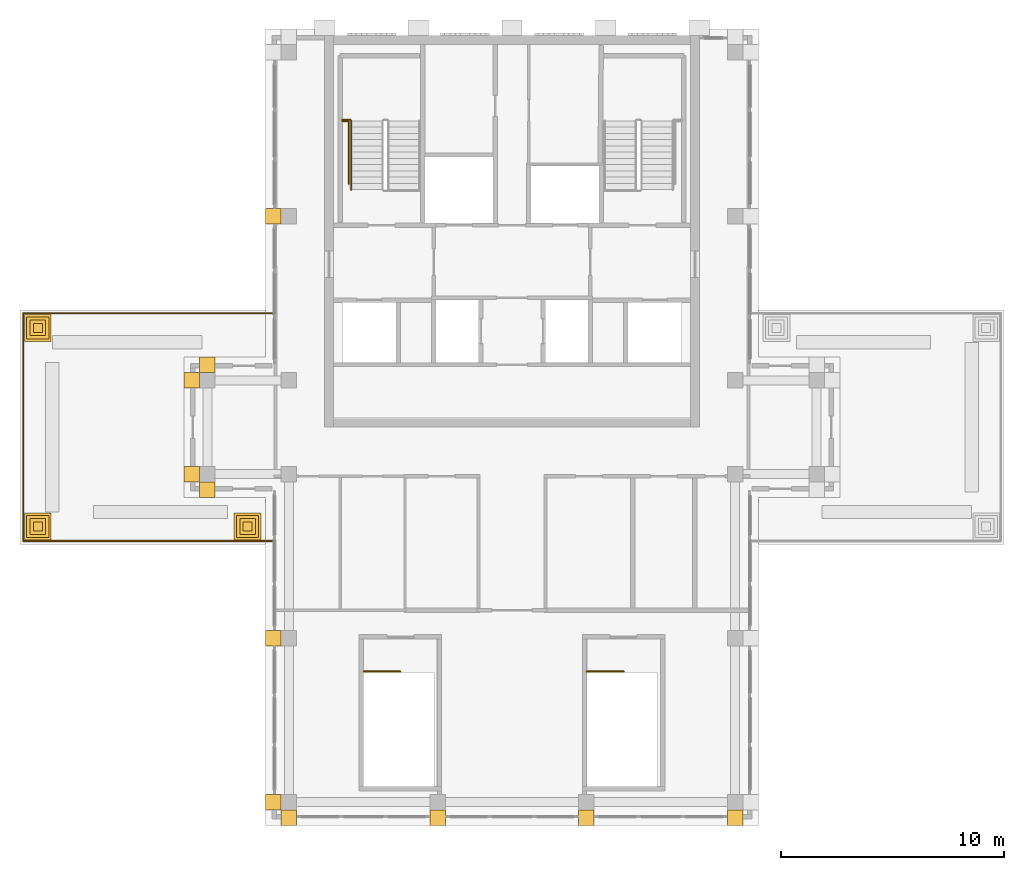
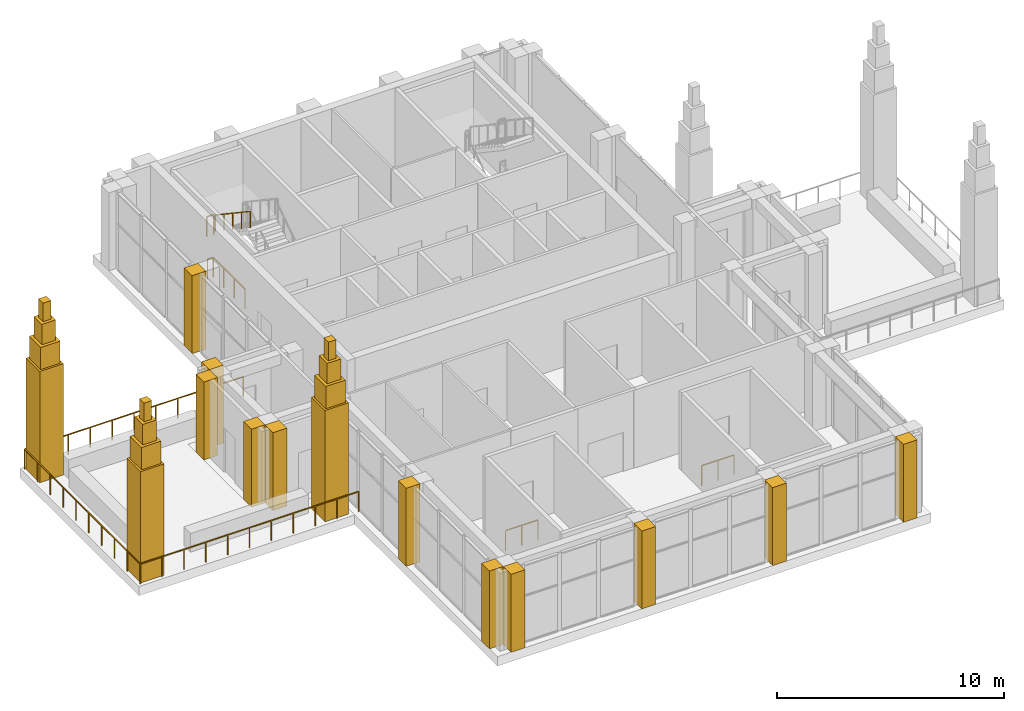
# One storey, part 10 of 12: 23 coverings, 8 railings.
"""IFC4 building model written with IfcOpenShell, lengths in metres."""

from ifc_helpers import new_model, si_unit, direction, frame, origin, origin_2d, place, context, subcontext, project, spatial, polyline, rectangle, outline, extrude, material, type_object, element, save


model = new_model("IFC4")

# Units and contexts
model_context = context("Model", 3, precision=1e-05, world=origin(), true_north=direction((0.0, 1.0)))
body_context = subcontext(model_context, "Body", "Model", "MODEL_VIEW")
ifc_project = project(units=[si_unit("LENGTHUNIT", "METRE"), si_unit("AREAUNIT", "SQUARE_METRE"), si_unit("VOLUMEUNIT", "CUBIC_METRE"), si_unit("PLANEANGLEUNIT", "RADIAN"), si_unit("MASSUNIT", "GRAM", prefix="KILO")], contexts=[model_context])

# Site, building, storey
site_placement = place(None, origin())
site = spatial("IfcSite", under=ifc_project, at=site_placement, CompositionType="ELEMENT")
building_placement = place(site_placement, origin())
building = spatial("IfcBuilding", under=site, at=building_placement, Name="Vermilion Ogive Tower", CompositionType="ELEMENT")
storey_placement = place(building_placement, frame((0.0, 0.0, 298.35009765625)))
storey = spatial("IfcBuildingStorey", under=building, at=storey_placement, Name="L77", CompositionType="ELEMENT", Elevation=298.35009765625)

# Railings
ifc_material_1 = material(Name="Steel S355 painted", Category="steel")
railing_type_1 = type_object("IfcRailingType", Name="Stair guard 1100", PredefinedType="GUARDRAIL", material=ifc_material_1)
for number, where, name in (
    (1, (3.35009765625, -6.75, 0.0), "L77 ST6 top well guard 1"),
    (2, (-6.64990234375, -6.75, 0.0), "L77 ST7 top well guard 1"),
):
    element("IfcRailing", number, at=place(storey_placement, frame(where)), inside=storey, type_object=railing_type_1, Name=name, PredefinedType="GUARDRAIL", context=body_context, shape_type="SweptSolid", body=[
        extrude(rectangle(XDim=0.048095703125, YDim=0.048095703125, at=origin_2d()), frame((0.0, 0.0, 1.076171875), z_axis=(1.0, 0.0, 0.0), x_axis=(0.0, 1.0, 0.0)), (0.0, 0.0, 1.0), 1.64990234375),
        extrude(rectangle(XDim=0.0419921875, YDim=0.0419921875, at=origin_2d()), origin(), (0.0, 0.0, 1.0), 1.052001953125),
        extrude(rectangle(XDim=0.0419921875, YDim=0.0419921875, at=origin_2d()), frame((0.824951171875, 0.0, 0.0)), (0.0, 0.0, 1.0), 1.052001953125),
        extrude(rectangle(XDim=0.0419921875, YDim=0.0419921875, at=origin_2d()), frame((1.64990234375, 0.0, 0.0)), (0.0, 0.0, 1.0), 1.052001953125),
    ])
railing_1_placement = place(storey_placement, frame((-7.60009765625, 17.97998046875, 2.25)))
element("IfcRailing", 3, at=railing_1_placement, inside=storey, type_object=railing_type_1, Name="L77 landing guard", PredefinedType="GUARDRAIL", context=body_context, shape_type="SweptSolid", body=[
    extrude(rectangle(XDim=0.048095703125, YDim=0.048095703125, at=origin_2d()), frame((0.0, 0.0, 1.076171875), z_axis=(1.0, 0.0, 0.0), x_axis=(0.0, 1.0, 0.0)), (0.0, 0.0, 1.0), 0.35009765625),
    extrude(rectangle(XDim=0.0419921875, YDim=0.0419921875, at=origin_2d()), origin(), (0.0, 0.0, 1.0), 1.052001953125),
    extrude(rectangle(XDim=0.0419921875, YDim=0.0419921875, at=origin_2d()), frame((0.35009765625, 0.0, 0.0)), (0.0, 0.0, 1.0), 1.052001953125),
])
railing_2_placement = place(storey_placement, frame((-7.309814453125, 15.119384765625, 0.0)))
element("IfcRailing", 4, at=railing_2_placement, inside=storey, type_object=railing_type_1, Name="L77 stair opening guard", PredefinedType="GUARDRAIL", context=body_context, shape_type="SweptSolid", body=[
    extrude(rectangle(XDim=0.048095703125, YDim=0.048095703125, at=origin_2d()), frame((0.0, 0.0, 1.076171875), z_axis=(0.0, 1.0, 0.0), x_axis=(-1.0, 0.0, 0.0)), (0.0, 0.0, 1.0), 2.804443359375),
    extrude(rectangle(XDim=0.048095703125, YDim=0.048095703125, at=origin_2d()), frame((0.0, 2.804443359375, 1.076171875), z_axis=(-1.0, 0.0, 0.0), x_axis=(0.0, -1.0, 0.0)), (0.0, 0.0, 1.0), 0.289794921875),
    extrude(rectangle(XDim=0.0419921875, YDim=0.0419921875, at=origin_2d()), origin(), (0.0, 0.0, 1.0), 1.052001953125),
    extrude(rectangle(XDim=0.0419921875, YDim=0.0419921875, at=origin_2d()), frame((0.0, 0.934814453125, 0.0)), (0.0, 0.0, 1.0), 1.052001953125),
    extrude(rectangle(XDim=0.0419921875, YDim=0.0419921875, at=origin_2d()), frame((0.0, 1.86962890625, 0.0)), (0.0, 0.0, 1.0), 1.052001953125),
    extrude(rectangle(XDim=0.0419921875, YDim=0.0419921875, at=origin_2d()), frame((0.0, 2.804443359375, 0.0)), (0.0, 0.0, 1.0), 1.052001953125),
    extrude(rectangle(XDim=0.0419921875, YDim=0.0419921875, at=origin_2d()), frame((-0.289794921875, 2.804443359375, 0.0)), (0.0, 0.0, 1.0), 1.052001953125),
])
ifc_material_2 = material(Name="Stainless steel", Category="steel")
railing_type_2 = type_object("IfcRailingType", Name="Stair handrail 900", PredefinedType="HANDRAIL", material=ifc_material_2)
railing_3_placement = place(storey_placement, frame((-7.199951171875, 17.929931640625, 2.4375)))
element("IfcRailing", 5, at=railing_3_placement, inside=storey, type_object=railing_type_2, Name="L77 ST1 stair handrail 2", PredefinedType="HANDRAIL", context=body_context, shape_type="SweptSolid", body=[
    extrude(rectangle(XDim=0.048095703125, YDim=0.048095703125, at=origin_2d()), frame((0.0, 0.0, 0.8759765625), z_axis=(0.0, -0.830893310487, 0.556431762742), x_axis=(1.0, 0.0, 0.0)), (0.0, 0.0, 1.0), 3.70654296875),
    extrude(rectangle(XDim=0.0419921875, YDim=0.0419921875, at=origin_2d()), origin(), (0.0, 0.0, 1.0), 0.851806640625),
    extrude(rectangle(XDim=0.0419921875, YDim=0.0419921875, at=origin_2d()), frame((0.0, -0.77001953125, 0.515625)), (0.0, 0.0, 1.0), 0.851806640625),
    extrude(rectangle(XDim=0.0419921875, YDim=0.0419921875, at=origin_2d()), frame((0.0, -1.5400390625, 1.03125)), (0.0, 0.0, 1.0), 0.851806640625),
    extrude(rectangle(XDim=0.0419921875, YDim=0.0419921875, at=origin_2d()), frame((0.0, -2.309814453125, 1.546875)), (0.0, 0.0, 1.0), 0.851806640625),
    extrude(rectangle(XDim=0.0419921875, YDim=0.0419921875, at=origin_2d()), frame((0.0, -3.079833984375, 2.0625)), (0.0, 0.0, 1.0), 0.851806640625),
])

# Coverings
ifc_material_3 = material(Name="Stone cladding", Category="masonry")
covering_type_1 = type_object("IfcCoveringType", Name="Stone pier", PredefinedType="CLADDING", material=ifc_material_3)
covering_1_placement = place(storey_placement, origin())
element("IfcCovering", 6, at=covering_1_placement, inside=storey, type_object=covering_type_1, Name="Stone pier P+0033-126", PredefinedType="CLADDING", context=body_context, shape_type="SweptSolid", body=[
    extrude(outline(polyline([(3.683349609375, -13.64990234375), (2.9833984375, -13.64990234375), (2.9833984375, -12.949951171875), (3.683349609375, -12.949951171875), (3.683349609375, -13.64990234375)])), origin(), (0.0, 0.0, 1.0), 4.199951171875),
])
covering_2_placement = place(storey_placement, origin())
element("IfcCovering", 7, at=covering_2_placement, inside=storey, type_object=covering_type_1, Name="Stone pier P+0100-126S", PredefinedType="CLADDING", context=body_context, shape_type="SweptSolid", body=[
    extrude(outline(polyline([(10.35009765625, -12.949951171875), (10.35009765625, -12.949951171875), (10.35009765625, -13.64990234375), (9.64990234375, -13.64990234375), (9.64990234375, -12.949951171875), (9.64990234375, -12.949951171875), (10.35009765625, -12.949951171875)])), origin(), (0.0, 0.0, 1.0), 4.199951171875),
])
covering_3_placement = place(storey_placement, origin())
element("IfcCovering", 8, at=covering_3_placement, inside=storey, type_object=covering_type_1, Name="Stone pier P-0033-126", PredefinedType="CLADDING", context=body_context, shape_type="SweptSolid", body=[
    extrude(outline(polyline([(-2.9833984375, -13.64990234375), (-3.683349609375, -13.64990234375), (-3.683349609375, -12.949951171875), (-2.9833984375, -12.949951171875), (-2.9833984375, -13.64990234375)])), origin(), (0.0, 0.0, 1.0), 4.199951171875),
])
covering_4_placement = place(storey_placement, origin())
element("IfcCovering", 9, at=covering_4_placement, inside=storey, type_object=covering_type_1, Name="Stone pier P-0100+136", PredefinedType="CLADDING", context=body_context, shape_type="SweptSolid", body=[
    extrude(outline(polyline([(-11.050048828125, 13.300048828125), (-11.050048828125, 14.0), (-10.35009765625, 14.0), (-10.35009765625, 13.300048828125), (-11.050048828125, 13.300048828125)])), origin(), (0.0, 0.0, 1.0), 4.199951171875),
])
covering_5_placement = place(storey_placement, origin())
element("IfcCovering", 10, at=covering_5_placement, inside=storey, type_object=covering_type_1, Name="Stone pier P-0100-052", PredefinedType="CLADDING", context=body_context, shape_type="SweptSolid", body=[
    extrude(outline(polyline([(-11.050048828125, -5.60009765625), (-11.050048828125, -4.89990234375), (-10.35009765625, -4.89990234375), (-10.35009765625, -5.60009765625), (-11.050048828125, -5.60009765625)])), origin(), (0.0, 0.0, 1.0), 4.199951171875),
])
covering_6_placement = place(storey_placement, origin())
element("IfcCovering", 11, at=covering_6_placement, inside=storey, type_object=covering_type_1, Name="Stone pier P-0100-126S", PredefinedType="CLADDING", context=body_context, shape_type="SweptSolid", body=[
    extrude(outline(polyline([(-9.64990234375, -13.64990234375), (-10.35009765625, -13.64990234375), (-10.35009765625, -12.949951171875), (-9.64990234375, -12.949951171875), (-9.64990234375, -13.64990234375)])), origin(), (0.0, 0.0, 1.0), 4.199951171875),
])
covering_7_placement = place(storey_placement, origin())
element("IfcCovering", 12, at=covering_7_placement, inside=storey, type_object=covering_type_1, Name="Stone pier P-0100-126X8", PredefinedType="CLADDING", context=body_context, shape_type="SweptSolid", body=[
    extrude(outline(polyline([(-11.050048828125, -12.25), (-10.35009765625, -12.25), (-10.35009765625, -12.949951171875), (-11.050048828125, -12.949951171875), (-11.050048828125, -12.25)])), origin(), (0.0, 0.0, 1.0), 4.199951171875),
])
covering_8_placement = place(storey_placement, origin())
element("IfcCovering", 13, at=covering_8_placement, inside=storey, type_object=covering_type_1, Name="Stone pier P-0136+021W", PredefinedType="CLADDING", context=body_context, shape_type="SweptSolid", body=[
    extrude(outline(polyline([(-14.0, 1.75), (-14.699951171875, 1.75), (-14.699951171875, 2.449951171875), (-14.0, 2.449951171875), (-14.0, 2.449951171875), (-14.0, 1.75)])), origin(), (0.0, 0.0, 1.0), 4.199951171875),
])
covering_9_placement = place(storey_placement, origin())
element("IfcCovering", 14, at=covering_9_placement, inside=storey, type_object=covering_type_1, Name="Stone pier P-0136+021X7", PredefinedType="CLADDING", context=body_context, shape_type="SweptSolid", body=[
    extrude(outline(polyline([(-14.0, 1.050048828125), (-14.0, 1.75), (-13.300048828125, 1.75), (-13.300048828125, 1.050048828125), (-14.0, 1.050048828125)])), origin(), (0.0, 0.0, 1.0), 4.199951171875),
])
covering_10_placement = place(storey_placement, origin())
element("IfcCovering", 15, at=covering_10_placement, inside=storey, type_object=covering_type_1, Name="Stone pier P-0136+063X6", PredefinedType="CLADDING", context=body_context, shape_type="SweptSolid", body=[
    extrude(outline(polyline([(-14.0, 6.64990234375), (-14.0, 7.35009765625), (-13.300048828125, 7.35009765625), (-13.300048828125, 6.64990234375), (-14.0, 6.64990234375), (-14.0, 6.64990234375)])), origin(), (0.0, 0.0, 1.0), 4.199951171875),
])
covering_11_placement = place(storey_placement, origin())
element("IfcCovering", 16, at=covering_11_placement, inside=storey, type_object=covering_type_1, Name="Stone pier P-0136+063W", PredefinedType="CLADDING", context=body_context, shape_type="SweptSolid", body=[
    extrude(outline(polyline([(-14.699951171875, 5.949951171875), (-14.699951171875, 6.64990234375), (-14.0, 6.64990234375), (-14.0, 6.64990234375), (-14.0, 6.64990234375), (-14.0, 5.949951171875), (-14.699951171875, 5.949951171875)])), origin(), (0.0, 0.0, 1.0), 4.199951171875),
])
ifc_material_4 = material(Name="Stone cladding", Category="masonry")
covering_type_2 = type_object("IfcCoveringType", Name="Stone pinnacle", PredefinedType="CLADDING", material=ifc_material_4)
covering_12_placement = place(storey_placement, origin())
element("IfcCovering", 17, at=covering_12_placement, inside=storey, type_object=covering_type_2, Name="Stone pinnacle L771111A", PredefinedType="CLADDING", context=body_context, shape_type="SweptSolid", body=[
    extrude(outline(polyline([(-21.85009765625, -0.85009765625), (-20.64990234375, -0.85009765625), (-20.64990234375, 0.35009765625), (-21.85009765625, 0.35009765625), (-21.85009765625, -0.85009765625)])), origin(), (0.0, 0.0, 1.0), 6.0),
])
covering_13_placement = place(storey_placement, frame((0.0, 0.0, 6.0)))
element("IfcCovering", 18, at=covering_13_placement, inside=storey, type_object=covering_type_2, Name="Stone pinnacle L771111B", PredefinedType="CLADDING", context=body_context, shape_type="SweptSolid", body=[
    extrude(outline(polyline([(-21.75, -0.75), (-20.75, -0.75), (-20.75, 0.25), (-21.75, 0.25), (-21.75, -0.75)])), origin(), (0.0, 0.0, 1.0), 1.199951171875),
])
covering_14_placement = place(storey_placement, frame((0.0, 0.0, 7.199951171875)))
element("IfcCovering", 19, at=covering_14_placement, inside=storey, type_object=covering_type_2, Name="Stone pinnacle L771111C", PredefinedType="CLADDING", context=body_context, shape_type="SweptSolid", body=[
    extrude(outline(polyline([(-21.60009765625, -0.60009765625), (-20.89990234375, -0.60009765625), (-20.89990234375, 0.10009765625), (-21.60009765625, 0.10009765625), (-21.60009765625, -0.60009765625)])), origin(), (0.0, 0.0, 1.0), 1.099853515625),
])
covering_15_placement = place(storey_placement, frame((0.0, 0.0, 8.2998046875)))
element("IfcCovering", 20, at=covering_15_placement, inside=storey, type_object=covering_type_2, Name="Stone pinnacle L771111D", PredefinedType="CLADDING", context=body_context, shape_type="SweptSolid", body=[
    extrude(outline(polyline([(-21.449951171875, -0.449951171875), (-21.050048828125, -0.449951171875), (-21.050048828125, -0.050048828125), (-21.449951171875, -0.050048828125), (-21.449951171875, -0.449951171875)])), origin(), (0.0, 0.0, 1.0), 1.0),
])
covering_16_placement = place(storey_placement, origin())
element("IfcCovering", 21, at=covering_16_placement, inside=storey, type_object=covering_type_2, Name="Stone pinnacle L771121A", PredefinedType="CLADDING", context=body_context, shape_type="SweptSolid", body=[
    extrude(outline(polyline([(-21.85009765625, 8.050048828125), (-20.64990234375, 8.050048828125), (-20.64990234375, 9.25), (-21.85009765625, 9.25), (-21.85009765625, 8.050048828125)])), origin(), (0.0, 0.0, 1.0), 6.0),
])
covering_17_placement = place(storey_placement, frame((0.0, 0.0, 6.0)))
element("IfcCovering", 22, at=covering_17_placement, inside=storey, type_object=covering_type_2, Name="Stone pinnacle L771121B", PredefinedType="CLADDING", context=body_context, shape_type="SweptSolid", body=[
    extrude(outline(polyline([(-21.75, 8.14990234375), (-20.75, 8.14990234375), (-20.75, 9.14990234375), (-21.75, 9.14990234375), (-21.75, 8.14990234375)])), origin(), (0.0, 0.0, 1.0), 1.199951171875),
])
covering_18_placement = place(storey_placement, frame((0.0, 0.0, 7.199951171875)))
element("IfcCovering", 23, at=covering_18_placement, inside=storey, type_object=covering_type_2, Name="Stone pinnacle L771121C", PredefinedType="CLADDING", context=body_context, shape_type="SweptSolid", body=[
    extrude(outline(polyline([(-21.60009765625, 8.300048828125), (-20.89990234375, 8.300048828125), (-20.89990234375, 9.0), (-21.60009765625, 9.0), (-21.60009765625, 8.300048828125)])), origin(), (0.0, 0.0, 1.0), 1.099853515625),
])
covering_19_placement = place(storey_placement, frame((0.0, 0.0, 8.2998046875)))
element("IfcCovering", 24, at=covering_19_placement, inside=storey, type_object=covering_type_2, Name="Stone pinnacle L771121D", PredefinedType="CLADDING", context=body_context, shape_type="SweptSolid", body=[
    extrude(outline(polyline([(-21.449951171875, 8.449951171875), (-21.050048828125, 8.449951171875), (-21.050048828125, 8.85009765625), (-21.449951171875, 8.85009765625), (-21.449951171875, 8.449951171875)])), origin(), (0.0, 0.0, 1.0), 1.0),
])
covering_20_placement = place(storey_placement, origin())
element("IfcCovering", 25, at=covering_20_placement, inside=storey, type_object=covering_type_2, Name="Stone pinnacle L771181A", PredefinedType="CLADDING", context=body_context, shape_type="SweptSolid", body=[
    extrude(outline(polyline([(-12.449951171875, -0.85009765625), (-11.25, -0.85009765625), (-11.25, 0.35009765625), (-12.449951171875, 0.35009765625), (-12.449951171875, -0.85009765625)])), origin(), (0.0, 0.0, 1.0), 6.0),
])
covering_21_placement = place(storey_placement, frame((0.0, 0.0, 6.0)))
element("IfcCovering", 26, at=covering_21_placement, inside=storey, type_object=covering_type_2, Name="Stone pinnacle L771181B", PredefinedType="CLADDING", context=body_context, shape_type="SweptSolid", body=[
    extrude(outline(polyline([(-12.35009765625, -0.75), (-11.35009765625, -0.75), (-11.35009765625, 0.25), (-12.35009765625, 0.25), (-12.35009765625, -0.75)])), origin(), (0.0, 0.0, 1.0), 1.199951171875),
])
covering_22_placement = place(storey_placement, frame((0.0, 0.0, 7.199951171875)))
element("IfcCovering", 27, at=covering_22_placement, inside=storey, type_object=covering_type_2, Name="Stone pinnacle L771181C", PredefinedType="CLADDING", context=body_context, shape_type="SweptSolid", body=[
    extrude(outline(polyline([(-12.199951171875, -0.60009765625), (-11.5, -0.60009765625), (-11.5, 0.10009765625), (-12.199951171875, 0.10009765625), (-12.199951171875, -0.60009765625)])), origin(), (0.0, 0.0, 1.0), 1.099853515625),
])
covering_23_placement = place(storey_placement, frame((0.0, 0.0, 8.2998046875)))
element("IfcCovering", 28, at=covering_23_placement, inside=storey, type_object=covering_type_2, Name="Stone pinnacle L771181D", PredefinedType="CLADDING", context=body_context, shape_type="SweptSolid", body=[
    extrude(outline(polyline([(-12.050048828125, -0.449951171875), (-11.64990234375, -0.449951171875), (-11.64990234375, -0.050048828125), (-12.050048828125, -0.050048828125), (-12.050048828125, -0.449951171875)])), origin(), (0.0, 0.0, 1.0), 1.0),
])

# Railings
ifc_material_5 = material(Name="Stainless steel and glass", Category="steel")
railing_type_3 = type_object("IfcRailingType", Name="Terrace guard", PredefinedType="GUARDRAIL", material=ifc_material_5)
railing_4_placement = place(storey_placement, frame((-10.75, -0.89990234375, 0.0)))
element("IfcRailing", 29, at=railing_4_placement, inside=storey, type_object=railing_type_3, Name="Terrace guard 1.1", PredefinedType="GUARDRAIL", context=body_context, shape_type="SweptSolid", body=[
    extrude(rectangle(XDim=0.048095703125, YDim=0.048095703125, at=origin_2d()), frame((0.0, 0.0, 1.076171875), z_axis=(-1.0, 0.0, 0.0), x_axis=(0.0, -1.0, 0.0)), (0.0, 0.0, 1.0), 11.14990234375),
    extrude(rectangle(XDim=0.0419921875, YDim=0.0419921875, at=origin_2d()), origin(), (0.0, 0.0, 1.0), 1.052001953125),
    extrude(rectangle(XDim=0.0419921875, YDim=0.0419921875, at=origin_2d()), frame((-1.114990234375, 0.0, 0.0)), (0.0, 0.0, 1.0), 1.052001953125),
    extrude(rectangle(XDim=0.0419921875, YDim=0.0419921875, at=origin_2d()), frame((-2.22998046875, 0.0, 0.0)), (0.0, 0.0, 1.0), 1.052001953125),
    extrude(rectangle(XDim=0.0419921875, YDim=0.0419921875, at=origin_2d()), frame((-3.344970703125, 0.0, 0.0)), (0.0, 0.0, 1.0), 1.052001953125),
    extrude(rectangle(XDim=0.0419921875, YDim=0.0419921875, at=origin_2d()), frame((-4.4599609375, 0.0, 0.0)), (0.0, 0.0, 1.0), 1.052001953125),
    extrude(rectangle(XDim=0.0419921875, YDim=0.0419921875, at=origin_2d()), frame((-5.574951171875, 0.0, 0.0)), (0.0, 0.0, 1.0), 1.052001953125),
    extrude(rectangle(XDim=0.0419921875, YDim=0.0419921875, at=origin_2d()), frame((-6.68994140625, 0.0, 0.0)), (0.0, 0.0, 1.0), 1.052001953125),
    extrude(rectangle(XDim=0.0419921875, YDim=0.0419921875, at=origin_2d()), frame((-7.804931640625, 0.0, 0.0)), (0.0, 0.0, 1.0), 1.052001953125),
    extrude(rectangle(XDim=0.0419921875, YDim=0.0419921875, at=origin_2d()), frame((-8.919921875, 0.0, 0.0)), (0.0, 0.0, 1.0), 1.052001953125),
    extrude(rectangle(XDim=0.0419921875, YDim=0.0419921875, at=origin_2d()), frame((-10.034912109375, 0.0, 0.0)), (0.0, 0.0, 1.0), 1.052001953125),
    extrude(rectangle(XDim=0.0419921875, YDim=0.0419921875, at=origin_2d()), frame((-11.14990234375, 0.0, 0.0)), (0.0, 0.0, 1.0), 1.052001953125),
])
railing_5_placement = place(storey_placement, frame((-21.89990234375, -0.89990234375, 0.0)))
element("IfcRailing", 30, at=railing_5_placement, inside=storey, type_object=railing_type_3, Name="Terrace guard 1.1.2", PredefinedType="GUARDRAIL", context=body_context, shape_type="SweptSolid", body=[
    extrude(rectangle(XDim=0.048095703125, YDim=0.048095703125, at=origin_2d()), frame((0.0, 0.0, 1.076171875), z_axis=(0.0, 1.0, 0.0), x_axis=(-1.0, 0.0, 0.0)), (0.0, 0.0, 1.0), 10.199951171875),
    extrude(rectangle(XDim=0.0419921875, YDim=0.0419921875, at=origin_2d()), origin(), (0.0, 0.0, 1.0), 1.052001953125),
    extrude(rectangle(XDim=0.0419921875, YDim=0.0419921875, at=origin_2d()), frame((0.0, 1.13330078125, 0.0)), (0.0, 0.0, 1.0), 1.052001953125),
    extrude(rectangle(XDim=0.0419921875, YDim=0.0419921875, at=origin_2d()), frame((0.0, 2.2666015625, 0.0)), (0.0, 0.0, 1.0), 1.052001953125),
    extrude(rectangle(XDim=0.0419921875, YDim=0.0419921875, at=origin_2d()), frame((0.0, 3.39990234375, 0.0)), (0.0, 0.0, 1.0), 1.052001953125),
    extrude(rectangle(XDim=0.0419921875, YDim=0.0419921875, at=origin_2d()), frame((0.0, 4.533203125, 0.0)), (0.0, 0.0, 1.0), 1.052001953125),
    extrude(rectangle(XDim=0.0419921875, YDim=0.0419921875, at=origin_2d()), frame((0.0, 5.666748046875, 0.0)), (0.0, 0.0, 1.0), 1.052001953125),
    extrude(rectangle(XDim=0.0419921875, YDim=0.0419921875, at=origin_2d()), frame((0.0, 6.800048828125, 0.0)), (0.0, 0.0, 1.0), 1.052001953125),
    extrude(rectangle(XDim=0.0419921875, YDim=0.0419921875, at=origin_2d()), frame((0.0, 7.933349609375, 0.0)), (0.0, 0.0, 1.0), 1.052001953125),
    extrude(rectangle(XDim=0.0419921875, YDim=0.0419921875, at=origin_2d()), frame((0.0, 9.066650390625, 0.0)), (0.0, 0.0, 1.0), 1.052001953125),
    extrude(rectangle(XDim=0.0419921875, YDim=0.0419921875, at=origin_2d()), frame((0.0, 10.199951171875, 0.0)), (0.0, 0.0, 1.0), 1.052001953125),
])
railing_6_placement = place(storey_placement, frame((-21.89990234375, 9.300048828125, 0.0)))
element("IfcRailing", 31, at=railing_6_placement, inside=storey, type_object=railing_type_3, Name="Terrace guard 1.1.3", PredefinedType="GUARDRAIL", context=body_context, shape_type="SweptSolid", body=[
    extrude(rectangle(XDim=0.048095703125, YDim=0.048095703125, at=origin_2d()), frame((0.0, 0.0, 1.076171875), z_axis=(1.0, 0.0, 0.0), x_axis=(0.0, 1.0, 0.0)), (0.0, 0.0, 1.0), 11.14990234375),
    extrude(rectangle(XDim=0.0419921875, YDim=0.0419921875, at=origin_2d()), origin(), (0.0, 0.0, 1.0), 1.052001953125),
    extrude(rectangle(XDim=0.0419921875, YDim=0.0419921875, at=origin_2d()), frame((1.114990234375, 0.0, 0.0)), (0.0, 0.0, 1.0), 1.052001953125),
    extrude(rectangle(XDim=0.0419921875, YDim=0.0419921875, at=origin_2d()), frame((2.22998046875, 0.0, 0.0)), (0.0, 0.0, 1.0), 1.052001953125),
    extrude(rectangle(XDim=0.0419921875, YDim=0.0419921875, at=origin_2d()), frame((3.344970703125, 0.0, 0.0)), (0.0, 0.0, 1.0), 1.052001953125),
    extrude(rectangle(XDim=0.0419921875, YDim=0.0419921875, at=origin_2d()), frame((4.4599609375, 0.0, 0.0)), (0.0, 0.0, 1.0), 1.052001953125),
    extrude(rectangle(XDim=0.0419921875, YDim=0.0419921875, at=origin_2d()), frame((5.574951171875, 0.0, 0.0)), (0.0, 0.0, 1.0), 1.052001953125),
    extrude(rectangle(XDim=0.0419921875, YDim=0.0419921875, at=origin_2d()), frame((6.68994140625, 0.0, 0.0)), (0.0, 0.0, 1.0), 1.052001953125),
    extrude(rectangle(XDim=0.0419921875, YDim=0.0419921875, at=origin_2d()), frame((7.804931640625, 0.0, 0.0)), (0.0, 0.0, 1.0), 1.052001953125),
    extrude(rectangle(XDim=0.0419921875, YDim=0.0419921875, at=origin_2d()), frame((8.919921875, 0.0, 0.0)), (0.0, 0.0, 1.0), 1.052001953125),
    extrude(rectangle(XDim=0.0419921875, YDim=0.0419921875, at=origin_2d()), frame((10.034912109375, 0.0, 0.0)), (0.0, 0.0, 1.0), 1.052001953125),
    extrude(rectangle(XDim=0.0419921875, YDim=0.0419921875, at=origin_2d()), frame((11.14990234375, 0.0, 0.0)), (0.0, 0.0, 1.0), 1.052001953125),
])

save(model, "model.ifc")
